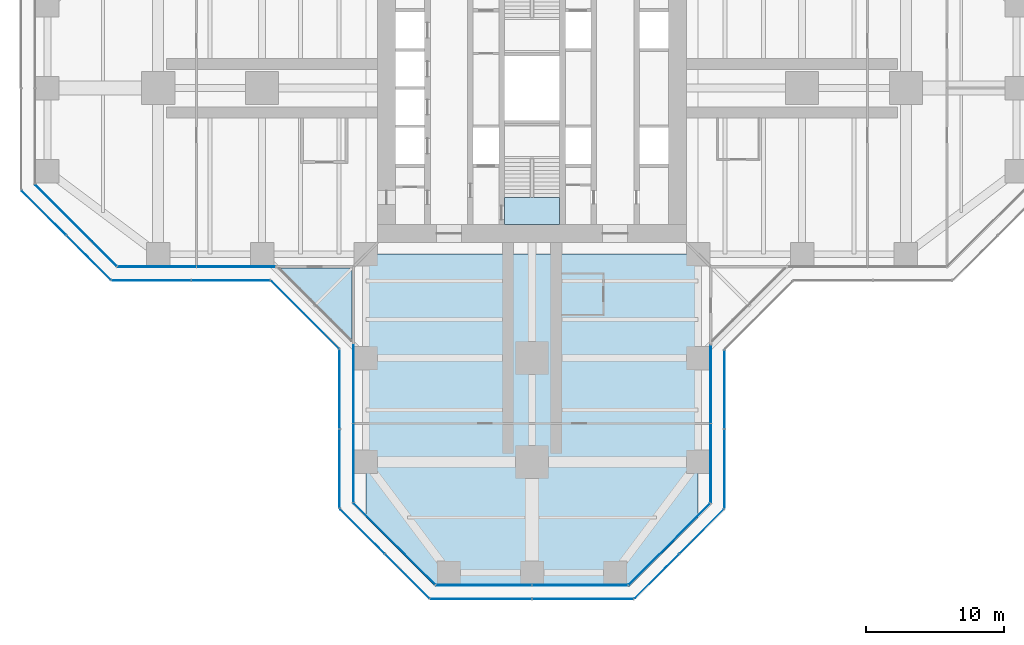
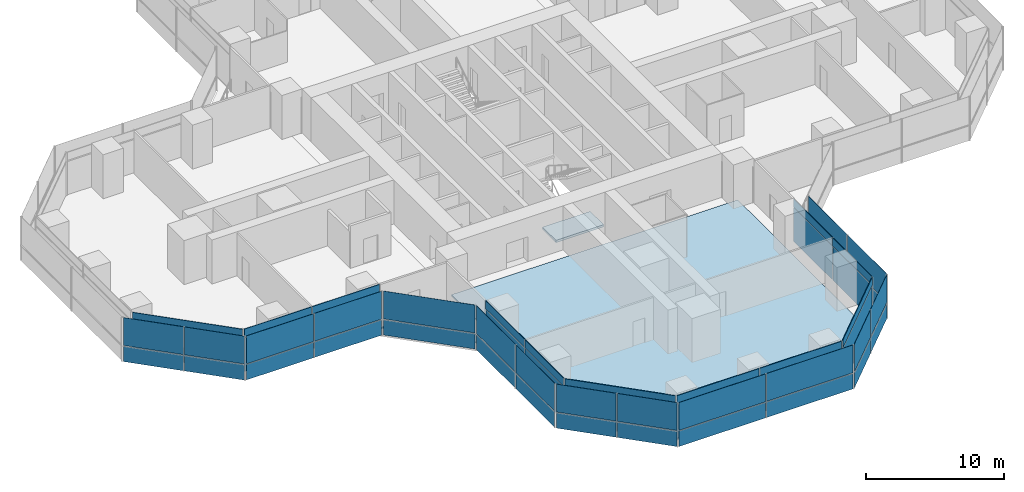
# One storey, part 14 of 22: 52 plates, 3 slabs, 16 elements without a shape of their own.
"""IFC4 building model written with IfcOpenShell, lengths in metres."""

from ifc_helpers import new_model, si_unit, direction, frame, origin, origin_2d, place, context, subcontext, project, spatial, polyline, rectangle, outline, extrude, material, layer, layer_set, type_object, element, aggregate, save


model = new_model("IFC4")

# Units and contexts
model_context = context("Model", 3, precision=1e-05, world=origin(), true_north=direction((0.0, 1.0)))
body_context = subcontext(model_context, "Body", "Model", "MODEL_VIEW")
ifc_project = project(units=[si_unit("LENGTHUNIT", "METRE"), si_unit("AREAUNIT", "SQUARE_METRE"), si_unit("VOLUMEUNIT", "CUBIC_METRE"), si_unit("PLANEANGLEUNIT", "RADIAN"), si_unit("MASSUNIT", "GRAM", prefix="KILO")], contexts=[model_context])

# Site, building, storey
site_placement = place(None, origin())
site = spatial("IfcSite", under=ifc_project, at=site_placement, CompositionType="ELEMENT")
building_placement = place(site_placement, origin())
building = spatial("IfcBuilding", under=site, at=building_placement, Name="Mizan Broadcast Tower", CompositionType="ELEMENT")
storey_placement = place(building_placement, frame((0.0, 0.0, 105.89990234375)))
storey = spatial("IfcBuildingStorey", under=building, at=storey_placement, Name="L23", CompositionType="ELEMENT", Elevation=105.89990234375)

# Slab
ifc_material_1 = material(Name="Concrete C32/40", Category="concrete")
ifc_layer_1 = layer(ifc_material_1, 0.1298828125)
ifc_layer_set_1 = layer_set([ifc_layer_1], Name="Concrete C32/40")
slab_type_1 = type_object("IfcSlabType", Name="COMPOSITE DECK SLAB 130", PredefinedType="FLOOR", material=ifc_layer_set_1)
slab_1_placement = place(storey_placement, frame((0.0, 0.0, -0.1298828125)))
element("IfcSlab", 1, at=slab_1_placement, inside=storey, type_object=slab_type_1, Name="Floor slab L23 south arm", PredefinedType="FLOOR", context=body_context, shape_type="SweptSolid", body=[
    extrude(outline(polyline([(7.0, -36.0), (12.0, -31.0), (12.0, -12.0), (-12.0, -12.0), (-12.0, -31.0), (-7.0, -36.0), (7.0, -36.0)])), origin(), (0.0, 0.0, 1.0), 0.1298828125),
])

# Curtain wall, plate
ifc_material_2 = material(Name="Aluminium framed glazing", Category="aluminium")
curtain_wall_type_1 = type_object("IfcCurtainWallType", Name="INNER SKIN LOW ZONE", PredefinedType="USERDEFINED", material=ifc_material_2)
curtain_wall_1_placement = place(storey_placement, origin())
curtain_wall_1 = element("IfcCurtainWall", 2, at=curtain_wall_1_placement, inside=storey, type_object=curtain_wall_type_1, Name="Inner skin low zone L23 W chamfer", ObjectType="INNER SKIN LOW ZONE", PredefinedType="USERDEFINED")
ifc_material_3 = material(Name="Double glazing, clear low-e", Category="glass")
ifc_layer_2 = layer(ifc_material_3, 0.028076171875)
ifc_layer_set_2 = layer_set([ifc_layer_2], Name="Double glazing, clear low-e")
plate_type_1 = type_object("IfcPlateType", Name="INNER SKIN GLAZING UNIT", PredefinedType="CURTAIN_PANEL", material=ifc_layer_set_2)
plate_1_placement = place(storey_placement, frame((-32.92919921875, -9.92919921875, 0.0), z_axis=(0.0, 0.0, 1.0), x_axis=(0.707106781187, -0.707106781187, 0.0)))
plate_1 = element("IfcPlate", 3, at=plate_1_placement, type_object=plate_type_1, Name="Inner skin low zone L23 W chamfer panel 1.1", PredefinedType="CURTAIN_PANEL", context=body_context, shape_type="SweptSolid", body=[
    extrude(rectangle(XDim=8.282470703125, YDim=0.028076171875, at=origin_2d()), origin(), (0.0, 0.0, 1.0), 3.0),
])

# Curtain wall, plates
curtain_wall_2_placement = place(storey_placement, origin())
curtain_wall_2 = element("IfcCurtainWall", 4, at=curtain_wall_2_placement, inside=storey, type_object=curtain_wall_type_1, Name="Inner skin low zone L23 W side", ObjectType="INNER SKIN LOW ZONE", PredefinedType="USERDEFINED")
plate_2_placement = place(storey_placement, frame((-27.078857421875, -12.89990234375, 0.0), z_axis=(0.0, 0.0, 1.0), x_axis=(1.0, 0.0, 0.0)))
plate_2 = element("IfcPlate", 5, at=plate_2_placement, type_object=plate_type_1, Name="Inner skin low zone L23 W side panel 1.1", PredefinedType="CURTAIN_PANEL", context=body_context, shape_type="SweptSolid", body=[
    extrude(rectangle(XDim=5.639404296875, YDim=0.028076171875, at=origin_2d()), origin(), (0.0, 0.0, 1.0), 3.0),
])
plate_3_placement = place(storey_placement, frame((-21.379638671875, -12.89990234375, 0.0), z_axis=(0.0, 0.0, 1.0), x_axis=(1.0, 0.0, 0.0)))
plate_3 = element("IfcPlate", 6, at=plate_3_placement, type_object=plate_type_1, Name="Inner skin low zone L23 W side panel 2.1", PredefinedType="CURTAIN_PANEL", context=body_context, shape_type="SweptSolid", body=[
    extrude(rectangle(XDim=5.639404296875, YDim=0.028076171875, at=origin_2d()), origin(), (0.0, 0.0, 1.0), 3.0),
])

curtain_wall_3_placement = place(storey_placement, origin())
curtain_wall_3 = element("IfcCurtainWall", 7, at=curtain_wall_3_placement, inside=storey, type_object=curtain_wall_type_1, Name="Inner skin low zone L23 S side", ObjectType="INNER SKIN LOW ZONE", PredefinedType="USERDEFINED")
plate_4_placement = place(storey_placement, frame((-12.89990234375, -21.379638671875, 0.0), z_axis=(0.0, 0.0, 1.0), x_axis=(0.0, -1.0, 0.0)))
plate_4 = element("IfcPlate", 8, at=plate_4_placement, type_object=plate_type_1, Name="Inner skin low zone L23 S side panel 1.1", PredefinedType="CURTAIN_PANEL", context=body_context, shape_type="SweptSolid", body=[
    extrude(rectangle(XDim=5.639404296875, YDim=0.028076171875, at=origin_2d()), origin(), (0.0, 0.0, 1.0), 3.0),
])
plate_5_placement = place(storey_placement, frame((-12.89990234375, -27.078857421875, 0.0), z_axis=(0.0, 0.0, 1.0), x_axis=(0.0, -1.0, 0.0)))
plate_5 = element("IfcPlate", 9, at=plate_5_placement, type_object=plate_type_1, Name="Inner skin low zone L23 S side panel 2.1", PredefinedType="CURTAIN_PANEL", context=body_context, shape_type="SweptSolid", body=[
    extrude(rectangle(XDim=5.639404296875, YDim=0.028076171875, at=origin_2d()), origin(), (0.0, 0.0, 1.0), 3.0),
])

# Curtain wall, plate
curtain_wall_4_placement = place(storey_placement, origin())
curtain_wall_4 = element("IfcCurtainWall", 10, at=curtain_wall_4_placement, inside=storey, type_object=curtain_wall_type_1, Name="Inner skin low zone L23 S chamfer", ObjectType="INNER SKIN LOW ZONE", PredefinedType="USERDEFINED")
plate_6_placement = place(storey_placement, frame((-9.92919921875, -32.92919921875, 0.0), z_axis=(0.0, 0.0, 1.0), x_axis=(0.707106781187, -0.707106781187, 0.0)))
plate_6 = element("IfcPlate", 11, at=plate_6_placement, type_object=plate_type_1, Name="Inner skin low zone L23 S chamfer panel 1.1", PredefinedType="CURTAIN_PANEL", context=body_context, shape_type="SweptSolid", body=[
    extrude(rectangle(XDim=8.282470703125, YDim=0.028076171875, at=origin_2d()), origin(), (0.0, 0.0, 1.0), 3.0),
])

# Curtain wall, plates
curtain_wall_5_placement = place(storey_placement, origin())
curtain_wall_5 = element("IfcCurtainWall", 12, at=curtain_wall_5_placement, inside=storey, type_object=curtain_wall_type_1, Name="Inner skin low zone L23 S end", ObjectType="INNER SKIN LOW ZONE", PredefinedType="USERDEFINED")
plate_7_placement = place(storey_placement, frame((-3.46435546875, -35.89990234375, 0.0), z_axis=(0.0, 0.0, 1.0), x_axis=(1.0, 0.0, 0.0)))
plate_7 = element("IfcPlate", 13, at=plate_7_placement, type_object=plate_type_1, Name="Inner skin low zone L23 S end panel 1.1", PredefinedType="CURTAIN_PANEL", context=body_context, shape_type="SweptSolid", body=[
    extrude(rectangle(XDim=6.86865234375, YDim=0.028076171875, at=origin_2d()), origin(), (0.0, 0.0, 1.0), 3.0),
])
plate_8_placement = place(storey_placement, frame((3.46435546875, -35.89990234375, 0.0), z_axis=(0.0, 0.0, 1.0), x_axis=(1.0, 0.0, 0.0)))
plate_8 = element("IfcPlate", 14, at=plate_8_placement, type_object=plate_type_1, Name="Inner skin low zone L23 S end panel 2.1", PredefinedType="CURTAIN_PANEL", context=body_context, shape_type="SweptSolid", body=[
    extrude(rectangle(XDim=6.86865234375, YDim=0.028076171875, at=origin_2d()), origin(), (0.0, 0.0, 1.0), 3.0),
])

# Curtain wall, plate
curtain_wall_6_placement = place(storey_placement, origin())
curtain_wall_6 = element("IfcCurtainWall", 15, at=curtain_wall_6_placement, inside=storey, type_object=curtain_wall_type_1, Name="Inner skin low zone L23 S chamfer", ObjectType="INNER SKIN LOW ZONE", PredefinedType="USERDEFINED")
plate_9_placement = place(storey_placement, frame((9.92919921875, -32.92919921875, 0.0), z_axis=(0.0, 0.0, 1.0), x_axis=(0.707106781187, 0.707106781187, 0.0)))
plate_9 = element("IfcPlate", 16, at=plate_9_placement, type_object=plate_type_1, Name="Inner skin low zone L23 S chamfer panel 1.1", PredefinedType="CURTAIN_PANEL", context=body_context, shape_type="SweptSolid", body=[
    extrude(rectangle(XDim=8.282470703125, YDim=0.028076171875, at=origin_2d()), origin(), (0.0, 0.0, 1.0), 3.0),
])

# Curtain wall, plates
curtain_wall_7_placement = place(storey_placement, origin())
curtain_wall_7 = element("IfcCurtainWall", 17, at=curtain_wall_7_placement, inside=storey, type_object=curtain_wall_type_1, Name="Inner skin low zone L23 S side", ObjectType="INNER SKIN LOW ZONE", PredefinedType="USERDEFINED")
plate_10_placement = place(storey_placement, frame((12.89990234375, -27.078857421875, 0.0), z_axis=(0.0, 0.0, 1.0), x_axis=(0.0, 1.0, 0.0)))
plate_10 = element("IfcPlate", 18, at=plate_10_placement, type_object=plate_type_1, Name="Inner skin low zone L23 S side panel 1.1", PredefinedType="CURTAIN_PANEL", context=body_context, shape_type="SweptSolid", body=[
    extrude(rectangle(XDim=5.639404296875, YDim=0.028076171875, at=origin_2d()), origin(), (0.0, 0.0, 1.0), 3.0),
])
plate_11_placement = place(storey_placement, frame((12.89990234375, -21.379638671875, 0.0), z_axis=(0.0, 0.0, 1.0), x_axis=(0.0, 1.0, 0.0)))
plate_11 = element("IfcPlate", 19, at=plate_11_placement, type_object=plate_type_1, Name="Inner skin low zone L23 S side panel 2.1", PredefinedType="CURTAIN_PANEL", context=body_context, shape_type="SweptSolid", body=[
    extrude(rectangle(XDim=5.639404296875, YDim=0.028076171875, at=origin_2d()), origin(), (0.0, 0.0, 1.0), 3.0),
])

# Plate
ifc_material_4 = material(Name="Insulated aluminium spandrel panel, pale anodised", Category="aluminium")
ifc_layer_3 = layer(ifc_material_4, 0.050048828125)
ifc_layer_set_3 = layer_set([ifc_layer_3], Name="Insulated aluminium spandrel panel, pale anodised")
plate_type_2 = type_object("IfcPlateType", Name="INNER SKIN SPANDREL PANEL", PredefinedType="CURTAIN_PANEL", material=ifc_layer_set_3)
plate_12_placement = place(storey_placement, frame((-32.92919921875, -9.92919921875, 3.06005859375), z_axis=(0.0, 0.0, 1.0), x_axis=(0.707106781187, -0.707106781187, 0.0)))
plate_12 = element("IfcPlate", 20, at=plate_12_placement, type_object=plate_type_2, Name="Inner skin low zone L23 W chamfer panel 1.2", PredefinedType="CURTAIN_PANEL", context=body_context, shape_type="SweptSolid", body=[
    extrude(rectangle(XDim=8.282470703125, YDim=0.050048828125, at=origin_2d()), origin(), (0.0, 0.0, 1.0), 0.7099609375),
])

aggregate(curtain_wall_1, [plate_1, plate_12])

plate_13_placement = place(storey_placement, frame((-27.078857421875, -12.89990234375, 3.06005859375), z_axis=(0.0, 0.0, 1.0), x_axis=(1.0, 0.0, 0.0)))
plate_13 = element("IfcPlate", 21, at=plate_13_placement, type_object=plate_type_2, Name="Inner skin low zone L23 W side panel 1.2", PredefinedType="CURTAIN_PANEL", context=body_context, shape_type="SweptSolid", body=[
    extrude(rectangle(XDim=5.639404296875, YDim=0.050048828125, at=origin_2d()), origin(), (0.0, 0.0, 1.0), 0.7099609375),
])

plate_14_placement = place(storey_placement, frame((-21.379638671875, -12.89990234375, 3.06005859375), z_axis=(0.0, 0.0, 1.0), x_axis=(1.0, 0.0, 0.0)))
plate_14 = element("IfcPlate", 22, at=plate_14_placement, type_object=plate_type_2, Name="Inner skin low zone L23 W side panel 2.2", PredefinedType="CURTAIN_PANEL", context=body_context, shape_type="SweptSolid", body=[
    extrude(rectangle(XDim=5.639404296875, YDim=0.050048828125, at=origin_2d()), origin(), (0.0, 0.0, 1.0), 0.7099609375),
])

aggregate(curtain_wall_2, [plate_2, plate_13, plate_3, plate_14])

plate_15_placement = place(storey_placement, frame((-12.89990234375, -21.379638671875, 3.06005859375), z_axis=(0.0, 0.0, 1.0), x_axis=(0.0, -1.0, 0.0)))
plate_15 = element("IfcPlate", 23, at=plate_15_placement, type_object=plate_type_2, Name="Inner skin low zone L23 S side panel 1.2", PredefinedType="CURTAIN_PANEL", context=body_context, shape_type="SweptSolid", body=[
    extrude(rectangle(XDim=5.639404296875, YDim=0.050048828125, at=origin_2d()), origin(), (0.0, 0.0, 1.0), 0.7099609375),
])

plate_16_placement = place(storey_placement, frame((-12.89990234375, -27.078857421875, 3.06005859375), z_axis=(0.0, 0.0, 1.0), x_axis=(0.0, -1.0, 0.0)))
plate_16 = element("IfcPlate", 24, at=plate_16_placement, type_object=plate_type_2, Name="Inner skin low zone L23 S side panel 2.2", PredefinedType="CURTAIN_PANEL", context=body_context, shape_type="SweptSolid", body=[
    extrude(rectangle(XDim=5.639404296875, YDim=0.050048828125, at=origin_2d()), origin(), (0.0, 0.0, 1.0), 0.7099609375),
])

aggregate(curtain_wall_3, [plate_4, plate_15, plate_5, plate_16])

plate_17_placement = place(storey_placement, frame((-9.92919921875, -32.92919921875, 3.06005859375), z_axis=(0.0, 0.0, 1.0), x_axis=(0.707106781187, -0.707106781187, 0.0)))
plate_17 = element("IfcPlate", 25, at=plate_17_placement, type_object=plate_type_2, Name="Inner skin low zone L23 S chamfer panel 1.2", PredefinedType="CURTAIN_PANEL", context=body_context, shape_type="SweptSolid", body=[
    extrude(rectangle(XDim=8.282470703125, YDim=0.050048828125, at=origin_2d()), origin(), (0.0, 0.0, 1.0), 0.7099609375),
])

aggregate(curtain_wall_4, [plate_6, plate_17])

plate_18_placement = place(storey_placement, frame((-3.46435546875, -35.89990234375, 3.06005859375), z_axis=(0.0, 0.0, 1.0), x_axis=(1.0, 0.0, 0.0)))
plate_18 = element("IfcPlate", 26, at=plate_18_placement, type_object=plate_type_2, Name="Inner skin low zone L23 S end panel 1.2", PredefinedType="CURTAIN_PANEL", context=body_context, shape_type="SweptSolid", body=[
    extrude(rectangle(XDim=6.86865234375, YDim=0.050048828125, at=origin_2d()), origin(), (0.0, 0.0, 1.0), 0.7099609375),
])

plate_19_placement = place(storey_placement, frame((3.46435546875, -35.89990234375, 3.06005859375), z_axis=(0.0, 0.0, 1.0), x_axis=(1.0, 0.0, 0.0)))
plate_19 = element("IfcPlate", 27, at=plate_19_placement, type_object=plate_type_2, Name="Inner skin low zone L23 S end panel 2.2", PredefinedType="CURTAIN_PANEL", context=body_context, shape_type="SweptSolid", body=[
    extrude(rectangle(XDim=6.86865234375, YDim=0.050048828125, at=origin_2d()), origin(), (0.0, 0.0, 1.0), 0.7099609375),
])

aggregate(curtain_wall_5, [plate_7, plate_18, plate_8, plate_19])

plate_20_placement = place(storey_placement, frame((9.92919921875, -32.92919921875, 3.06005859375), z_axis=(0.0, 0.0, 1.0), x_axis=(0.707106781187, 0.707106781187, 0.0)))
plate_20 = element("IfcPlate", 28, at=plate_20_placement, type_object=plate_type_2, Name="Inner skin low zone L23 S chamfer panel 1.2", PredefinedType="CURTAIN_PANEL", context=body_context, shape_type="SweptSolid", body=[
    extrude(rectangle(XDim=8.282470703125, YDim=0.050048828125, at=origin_2d()), origin(), (0.0, 0.0, 1.0), 0.7099609375),
])

aggregate(curtain_wall_6, [plate_9, plate_20])

plate_21_placement = place(storey_placement, frame((12.89990234375, -27.078857421875, 3.06005859375), z_axis=(0.0, 0.0, 1.0), x_axis=(0.0, 1.0, 0.0)))
plate_21 = element("IfcPlate", 29, at=plate_21_placement, type_object=plate_type_2, Name="Inner skin low zone L23 S side panel 1.2", PredefinedType="CURTAIN_PANEL", context=body_context, shape_type="SweptSolid", body=[
    extrude(rectangle(XDim=5.639404296875, YDim=0.050048828125, at=origin_2d()), origin(), (0.0, 0.0, 1.0), 0.7099609375),
])

plate_22_placement = place(storey_placement, frame((12.89990234375, -21.379638671875, 3.06005859375), z_axis=(0.0, 0.0, 1.0), x_axis=(0.0, 1.0, 0.0)))
plate_22 = element("IfcPlate", 30, at=plate_22_placement, type_object=plate_type_2, Name="Inner skin low zone L23 S side panel 2.2", PredefinedType="CURTAIN_PANEL", context=body_context, shape_type="SweptSolid", body=[
    extrude(rectangle(XDim=5.639404296875, YDim=0.050048828125, at=origin_2d()), origin(), (0.0, 0.0, 1.0), 0.7099609375),
])

aggregate(curtain_wall_7, [plate_10, plate_21, plate_11, plate_22])

# Curtain wall, plates
ifc_material_5 = material(Name="Aluminium framed glazing", Category="aluminium")
curtain_wall_type_2 = type_object("IfcCurtainWallType", Name="OUTER SKIN", PredefinedType="USERDEFINED", material=ifc_material_5)
curtain_wall_8_placement = place(storey_placement, origin())
curtain_wall_8 = element("IfcCurtainWall", 31, at=curtain_wall_8_placement, inside=storey, type_object=curtain_wall_type_2, Name="Outer skin L23 W chamfer", ObjectType="OUTER SKIN", PredefinedType="USERDEFINED")
ifc_material_6 = material(Name="Laminated clear glass", Category="glass")
ifc_layer_4 = layer(ifc_material_6, 0.02001953125)
ifc_layer_set_4 = layer_set([ifc_layer_4], Name="Laminated clear glass")
plate_type_3 = type_object("IfcPlateType", Name="OUTER SKIN CLEAR GLASS", PredefinedType="CURTAIN_PANEL", material=ifc_layer_set_4)
plate_23_placement = place(storey_placement, frame((-35.254150390625, -9.018798828125, 0.0), z_axis=(0.0, 0.0, 1.0), x_axis=(0.707106781187, -0.707106781187, 0.0)))
plate_23 = element("IfcPlate", 32, at=plate_23_placement, type_object=plate_type_3, Name="Outer skin L23 W chamfer panel 1.1", PredefinedType="CURTAIN_PANEL", context=body_context, shape_type="SweptSolid", body=[
    extrude(rectangle(XDim=4.495361328125, YDim=0.02001953125, at=origin_2d()), origin(), (0.0, 0.0, 1.0), 1.3701171875),
])
plate_24_placement = place(storey_placement, frame((-35.254150390625, -9.018798828125, 1.43017578125), z_axis=(0.0, 0.0, 1.0), x_axis=(0.707106781187, -0.707106781187, 0.0)))
plate_24 = element("IfcPlate", 33, at=plate_24_placement, type_object=plate_type_3, Name="Outer skin L23 W chamfer panel 1.2", PredefinedType="CURTAIN_PANEL", context=body_context, shape_type="SweptSolid", body=[
    extrude(rectangle(XDim=4.495361328125, YDim=0.02001953125, at=origin_2d()), origin(), (0.0, 0.0, 1.0), 2.469970703125),
])

curtain_wall_9_placement = place(storey_placement, origin())
curtain_wall_9 = element("IfcCurtainWall", 34, at=curtain_wall_9_placement, inside=storey, type_object=curtain_wall_type_2, Name="Outer skin L23 W side", ObjectType="OUTER SKIN", PredefinedType="USERDEFINED")
plate_25_placement = place(storey_placement, frame((-27.477783203125, -13.89990234375, 0.0), z_axis=(0.0, 0.0, 1.0), x_axis=(1.0, 0.0, 0.0)))
plate_25 = element("IfcPlate", 35, at=plate_25_placement, type_object=plate_type_3, Name="Outer skin L23 W side panel 1.1", PredefinedType="CURTAIN_PANEL", context=body_context, shape_type="SweptSolid", body=[
    extrude(rectangle(XDim=5.6298828125, YDim=0.02001953125, at=origin_2d()), origin(), (0.0, 0.0, 1.0), 1.3701171875),
])
plate_26_placement = place(storey_placement, frame((-27.477783203125, -13.89990234375, 1.43017578125), z_axis=(0.0, 0.0, 1.0), x_axis=(1.0, 0.0, 0.0)))
plate_26 = element("IfcPlate", 36, at=plate_26_placement, type_object=plate_type_3, Name="Outer skin L23 W side panel 1.2", PredefinedType="CURTAIN_PANEL", context=body_context, shape_type="SweptSolid", body=[
    extrude(rectangle(XDim=5.6298828125, YDim=0.02001953125, at=origin_2d()), origin(), (0.0, 0.0, 1.0), 2.469970703125),
])

curtain_wall_10_placement = place(storey_placement, origin())
curtain_wall_10 = element("IfcCurtainWall", 37, at=curtain_wall_10_placement, inside=storey, type_object=curtain_wall_type_2, Name="Outer skin L23 W chamfer", ObjectType="OUTER SKIN", PredefinedType="USERDEFINED")
plate_27_placement = place(storey_placement, frame((-16.386474609375, -16.386474609375, 0.0), z_axis=(0.0, 0.0, 1.0), x_axis=(0.707106781187, -0.707106781187, 0.0)))
plate_27 = element("IfcPlate", 38, at=plate_27_placement, type_object=plate_type_3, Name="Outer skin L23 W chamfer panel 1.1", PredefinedType="CURTAIN_PANEL", context=body_context, shape_type="SweptSolid", body=[
    extrude(rectangle(XDim=6.87255859375, YDim=0.02001953125, at=origin_2d()), origin(), (0.0, 0.0, 1.0), 1.3701171875),
])
plate_28_placement = place(storey_placement, frame((-16.386474609375, -16.386474609375, 1.43017578125), z_axis=(0.0, 0.0, 1.0), x_axis=(0.707106781187, -0.707106781187, 0.0)))
plate_28 = element("IfcPlate", 39, at=plate_28_placement, type_object=plate_type_3, Name="Outer skin L23 W chamfer panel 1.2", PredefinedType="CURTAIN_PANEL", context=body_context, shape_type="SweptSolid", body=[
    extrude(rectangle(XDim=6.87255859375, YDim=0.02001953125, at=origin_2d()), origin(), (0.0, 0.0, 1.0), 2.469970703125),
])
aggregate(curtain_wall_10, [plate_27, plate_28])

curtain_wall_11_placement = place(storey_placement, origin())
curtain_wall_11 = element("IfcCurtainWall", 40, at=curtain_wall_11_placement, inside=storey, type_object=curtain_wall_type_2, Name="Outer skin L23 S side", ObjectType="OUTER SKIN", PredefinedType="USERDEFINED")
plate_29_placement = place(storey_placement, frame((-13.89990234375, -21.767822265625, 0.0), z_axis=(0.0, 0.0, 1.0), x_axis=(0.0, -1.0, 0.0)))
plate_29 = element("IfcPlate", 41, at=plate_29_placement, type_object=plate_type_3, Name="Outer skin L23 S side panel 1.1", PredefinedType="CURTAIN_PANEL", context=body_context, shape_type="SweptSolid", body=[
    extrude(rectangle(XDim=5.6298828125, YDim=0.02001953125, at=origin_2d()), origin(), (0.0, 0.0, 1.0), 1.3701171875),
])
plate_30_placement = place(storey_placement, frame((-13.89990234375, -21.767822265625, 1.43017578125), z_axis=(0.0, 0.0, 1.0), x_axis=(0.0, -1.0, 0.0)))
plate_30 = element("IfcPlate", 42, at=plate_30_placement, type_object=plate_type_3, Name="Outer skin L23 S side panel 1.2", PredefinedType="CURTAIN_PANEL", context=body_context, shape_type="SweptSolid", body=[
    extrude(rectangle(XDim=5.6298828125, YDim=0.02001953125, at=origin_2d()), origin(), (0.0, 0.0, 1.0), 2.469970703125),
])

curtain_wall_12_placement = place(storey_placement, origin())
curtain_wall_12 = element("IfcCurtainWall", 43, at=curtain_wall_12_placement, inside=storey, type_object=curtain_wall_type_2, Name="Outer skin L23 S chamfer", ObjectType="OUTER SKIN", PredefinedType="USERDEFINED")
plate_31_placement = place(storey_placement, frame((-12.254150390625, -32.018798828125, 0.0), z_axis=(0.0, 0.0, 1.0), x_axis=(0.707106781187, -0.707106781187, 0.0)))
plate_31 = element("IfcPlate", 44, at=plate_31_placement, type_object=plate_type_3, Name="Outer skin L23 S chamfer panel 1.1", PredefinedType="CURTAIN_PANEL", context=body_context, shape_type="SweptSolid", body=[
    extrude(rectangle(XDim=4.495361328125, YDim=0.02001953125, at=origin_2d()), origin(), (0.0, 0.0, 1.0), 1.3701171875),
])
plate_32_placement = place(storey_placement, frame((-12.254150390625, -32.018798828125, 1.43017578125), z_axis=(0.0, 0.0, 1.0), x_axis=(0.707106781187, -0.707106781187, 0.0)))
plate_32 = element("IfcPlate", 45, at=plate_32_placement, type_object=plate_type_3, Name="Outer skin L23 S chamfer panel 1.2", PredefinedType="CURTAIN_PANEL", context=body_context, shape_type="SweptSolid", body=[
    extrude(rectangle(XDim=4.495361328125, YDim=0.02001953125, at=origin_2d()), origin(), (0.0, 0.0, 1.0), 2.469970703125),
])

curtain_wall_13_placement = place(storey_placement, origin())
curtain_wall_13 = element("IfcCurtainWall", 46, at=curtain_wall_13_placement, inside=storey, type_object=curtain_wall_type_2, Name="Outer skin L23 S end", ObjectType="OUTER SKIN", PredefinedType="USERDEFINED")
plate_33_placement = place(storey_placement, frame((-3.66650390625, -36.89990234375, 0.0), z_axis=(0.0, 0.0, 1.0), x_axis=(1.0, 0.0, 0.0)))
plate_33 = element("IfcPlate", 47, at=plate_33_placement, type_object=plate_type_3, Name="Outer skin L23 S end panel 1.1", PredefinedType="CURTAIN_PANEL", context=body_context, shape_type="SweptSolid", body=[
    extrude(rectangle(XDim=7.252685546875, YDim=0.02001953125, at=origin_2d()), origin(), (0.0, 0.0, 1.0), 1.3701171875),
])
plate_34_placement = place(storey_placement, frame((-3.66650390625, -36.89990234375, 1.43017578125), z_axis=(0.0, 0.0, 1.0), x_axis=(1.0, 0.0, 0.0)))
plate_34 = element("IfcPlate", 48, at=plate_34_placement, type_object=plate_type_3, Name="Outer skin L23 S end panel 1.2", PredefinedType="CURTAIN_PANEL", context=body_context, shape_type="SweptSolid", body=[
    extrude(rectangle(XDim=7.252685546875, YDim=0.02001953125, at=origin_2d()), origin(), (0.0, 0.0, 1.0), 2.469970703125),
])

curtain_wall_14_placement = place(storey_placement, origin())
curtain_wall_14 = element("IfcCurtainWall", 49, at=curtain_wall_14_placement, inside=storey, type_object=curtain_wall_type_2, Name="Outer skin L23 S chamfer", ObjectType="OUTER SKIN", PredefinedType="USERDEFINED")
plate_35_placement = place(storey_placement, frame((9.018798828125, -35.254150390625, 0.0), z_axis=(0.0, 0.0, 1.0), x_axis=(0.707106781187, 0.707106781187, 0.0)))
plate_35 = element("IfcPlate", 50, at=plate_35_placement, type_object=plate_type_3, Name="Outer skin L23 S chamfer panel 1.1", PredefinedType="CURTAIN_PANEL", context=body_context, shape_type="SweptSolid", body=[
    extrude(rectangle(XDim=4.495361328125, YDim=0.02001953125, at=origin_2d()), origin(), (0.0, 0.0, 1.0), 1.3701171875),
])
plate_36_placement = place(storey_placement, frame((9.018798828125, -35.254150390625, 1.43017578125), z_axis=(0.0, 0.0, 1.0), x_axis=(0.707106781187, 0.707106781187, 0.0)))
plate_36 = element("IfcPlate", 51, at=plate_36_placement, type_object=plate_type_3, Name="Outer skin L23 S chamfer panel 1.2", PredefinedType="CURTAIN_PANEL", context=body_context, shape_type="SweptSolid", body=[
    extrude(rectangle(XDim=4.495361328125, YDim=0.02001953125, at=origin_2d()), origin(), (0.0, 0.0, 1.0), 2.469970703125),
])

curtain_wall_15_placement = place(storey_placement, origin())
curtain_wall_15 = element("IfcCurtainWall", 52, at=curtain_wall_15_placement, inside=storey, type_object=curtain_wall_type_2, Name="Outer skin L23 S side", ObjectType="OUTER SKIN", PredefinedType="USERDEFINED")
plate_37_placement = place(storey_placement, frame((13.89990234375, -27.477783203125, 0.0), z_axis=(0.0, 0.0, 1.0), x_axis=(0.0, 1.0, 0.0)))
plate_37 = element("IfcPlate", 53, at=plate_37_placement, type_object=plate_type_3, Name="Outer skin L23 S side panel 1.1", PredefinedType="CURTAIN_PANEL", context=body_context, shape_type="SweptSolid", body=[
    extrude(rectangle(XDim=5.6298828125, YDim=0.02001953125, at=origin_2d()), origin(), (0.0, 0.0, 1.0), 1.3701171875),
])
plate_38_placement = place(storey_placement, frame((13.89990234375, -27.477783203125, 1.43017578125), z_axis=(0.0, 0.0, 1.0), x_axis=(0.0, 1.0, 0.0)))
plate_38 = element("IfcPlate", 54, at=plate_38_placement, type_object=plate_type_3, Name="Outer skin L23 S side panel 1.2", PredefinedType="CURTAIN_PANEL", context=body_context, shape_type="SweptSolid", body=[
    extrude(rectangle(XDim=5.6298828125, YDim=0.02001953125, at=origin_2d()), origin(), (0.0, 0.0, 1.0), 2.469970703125),
])

# Plate
ifc_material_7 = material(Name="Perforated aluminium, pale anodised", Category="aluminium")
ifc_layer_5 = layer(ifc_material_7, 0.011962890625)
ifc_layer_set_5 = layer_set([ifc_layer_5], Name="Perforated aluminium, pale anodised")
plate_type_4 = type_object("IfcPlateType", Name="OUTER SKIN PERFORATED SCREEN", PredefinedType="USERDEFINED", material=ifc_layer_set_5)
plate_39_placement = place(storey_placement, frame((-32.018798828125, -12.254150390625, 0.0), z_axis=(0.0, 0.0, 1.0), x_axis=(0.707106781187, -0.707106781187, 0.0)))
plate_39 = element("IfcPlate", 55, at=plate_39_placement, type_object=plate_type_4, Name="Outer skin L23 W chamfer panel 2.1", ObjectType="SCREEN", PredefinedType="USERDEFINED", context=body_context, shape_type="SweptSolid", body=[
    extrude(rectangle(XDim=4.495361328125, YDim=0.011962890625, at=origin_2d()), origin(), (0.0, 0.0, 1.0), 1.3701171875),
])

plate_40_placement = place(storey_placement, frame((-32.018798828125, -12.254150390625, 1.43017578125), z_axis=(0.0, 0.0, 1.0), x_axis=(0.707106781187, -0.707106781187, 0.0)))
plate_40 = element("IfcPlate", 56, at=plate_40_placement, type_object=plate_type_4, Name="Outer skin L23 W chamfer panel 2.2", ObjectType="SCREEN", PredefinedType="USERDEFINED", context=body_context, shape_type="SweptSolid", body=[
    extrude(rectangle(XDim=4.495361328125, YDim=0.011962890625, at=origin_2d()), origin(), (0.0, 0.0, 1.0), 2.469970703125),
])

aggregate(curtain_wall_8, [plate_23, plate_24, plate_39, plate_40])

plate_41_placement = place(storey_placement, frame((-21.767822265625, -13.89990234375, 0.0), z_axis=(0.0, 0.0, 1.0), x_axis=(1.0, 0.0, 0.0)))
plate_41 = element("IfcPlate", 57, at=plate_41_placement, type_object=plate_type_4, Name="Outer skin L23 W side panel 2.1", ObjectType="SCREEN", PredefinedType="USERDEFINED", context=body_context, shape_type="SweptSolid", body=[
    extrude(rectangle(XDim=5.6298828125, YDim=0.011962890625, at=origin_2d()), origin(), (0.0, 0.0, 1.0), 1.3701171875),
])

plate_42_placement = place(storey_placement, frame((-21.767822265625, -13.89990234375, 1.43017578125), z_axis=(0.0, 0.0, 1.0), x_axis=(1.0, 0.0, 0.0)))
plate_42 = element("IfcPlate", 58, at=plate_42_placement, type_object=plate_type_4, Name="Outer skin L23 W side panel 2.2", ObjectType="SCREEN", PredefinedType="USERDEFINED", context=body_context, shape_type="SweptSolid", body=[
    extrude(rectangle(XDim=5.6298828125, YDim=0.011962890625, at=origin_2d()), origin(), (0.0, 0.0, 1.0), 2.469970703125),
])

aggregate(curtain_wall_9, [plate_25, plate_26, plate_41, plate_42])

plate_43_placement = place(storey_placement, frame((-13.89990234375, -27.477783203125, 0.0), z_axis=(0.0, 0.0, 1.0), x_axis=(0.0, -1.0, 0.0)))
plate_43 = element("IfcPlate", 59, at=plate_43_placement, type_object=plate_type_4, Name="Outer skin L23 S side panel 2.1", ObjectType="SCREEN", PredefinedType="USERDEFINED", context=body_context, shape_type="SweptSolid", body=[
    extrude(rectangle(XDim=5.6298828125, YDim=0.011962890625, at=origin_2d()), origin(), (0.0, 0.0, 1.0), 1.3701171875),
])

plate_44_placement = place(storey_placement, frame((-13.89990234375, -27.477783203125, 1.43017578125), z_axis=(0.0, 0.0, 1.0), x_axis=(0.0, -1.0, 0.0)))
plate_44 = element("IfcPlate", 60, at=plate_44_placement, type_object=plate_type_4, Name="Outer skin L23 S side panel 2.2", ObjectType="SCREEN", PredefinedType="USERDEFINED", context=body_context, shape_type="SweptSolid", body=[
    extrude(rectangle(XDim=5.6298828125, YDim=0.011962890625, at=origin_2d()), origin(), (0.0, 0.0, 1.0), 2.469970703125),
])

aggregate(curtain_wall_11, [plate_29, plate_30, plate_43, plate_44])

plate_45_placement = place(storey_placement, frame((-9.018798828125, -35.254150390625, 0.0), z_axis=(0.0, 0.0, 1.0), x_axis=(0.707106781187, -0.707106781187, 0.0)))
plate_45 = element("IfcPlate", 61, at=plate_45_placement, type_object=plate_type_4, Name="Outer skin L23 S chamfer panel 2.1", ObjectType="SCREEN", PredefinedType="USERDEFINED", context=body_context, shape_type="SweptSolid", body=[
    extrude(rectangle(XDim=4.495361328125, YDim=0.011962890625, at=origin_2d()), origin(), (0.0, 0.0, 1.0), 1.3701171875),
])

plate_46_placement = place(storey_placement, frame((-9.018798828125, -35.254150390625, 1.43017578125), z_axis=(0.0, 0.0, 1.0), x_axis=(0.707106781187, -0.707106781187, 0.0)))
plate_46 = element("IfcPlate", 62, at=plate_46_placement, type_object=plate_type_4, Name="Outer skin L23 S chamfer panel 2.2", ObjectType="SCREEN", PredefinedType="USERDEFINED", context=body_context, shape_type="SweptSolid", body=[
    extrude(rectangle(XDim=4.495361328125, YDim=0.011962890625, at=origin_2d()), origin(), (0.0, 0.0, 1.0), 2.469970703125),
])

aggregate(curtain_wall_12, [plate_31, plate_32, plate_45, plate_46])

plate_47_placement = place(storey_placement, frame((3.66650390625, -36.89990234375, 0.0), z_axis=(0.0, 0.0, 1.0), x_axis=(1.0, 0.0, 0.0)))
plate_47 = element("IfcPlate", 63, at=plate_47_placement, type_object=plate_type_4, Name="Outer skin L23 S end panel 2.1", ObjectType="SCREEN", PredefinedType="USERDEFINED", context=body_context, shape_type="SweptSolid", body=[
    extrude(rectangle(XDim=7.252685546875, YDim=0.011962890625, at=origin_2d()), origin(), (0.0, 0.0, 1.0), 1.3701171875),
])

plate_48_placement = place(storey_placement, frame((3.66650390625, -36.89990234375, 1.43017578125), z_axis=(0.0, 0.0, 1.0), x_axis=(1.0, 0.0, 0.0)))
plate_48 = element("IfcPlate", 64, at=plate_48_placement, type_object=plate_type_4, Name="Outer skin L23 S end panel 2.2", ObjectType="SCREEN", PredefinedType="USERDEFINED", context=body_context, shape_type="SweptSolid", body=[
    extrude(rectangle(XDim=7.252685546875, YDim=0.011962890625, at=origin_2d()), origin(), (0.0, 0.0, 1.0), 2.469970703125),
])

aggregate(curtain_wall_13, [plate_33, plate_34, plate_47, plate_48])

plate_49_placement = place(storey_placement, frame((12.254150390625, -32.018798828125, 0.0), z_axis=(0.0, 0.0, 1.0), x_axis=(0.707106781187, 0.707106781187, 0.0)))
plate_49 = element("IfcPlate", 65, at=plate_49_placement, type_object=plate_type_4, Name="Outer skin L23 S chamfer panel 2.1", ObjectType="SCREEN", PredefinedType="USERDEFINED", context=body_context, shape_type="SweptSolid", body=[
    extrude(rectangle(XDim=4.495361328125, YDim=0.011962890625, at=origin_2d()), origin(), (0.0, 0.0, 1.0), 1.3701171875),
])

plate_50_placement = place(storey_placement, frame((12.254150390625, -32.018798828125, 1.43017578125), z_axis=(0.0, 0.0, 1.0), x_axis=(0.707106781187, 0.707106781187, 0.0)))
plate_50 = element("IfcPlate", 66, at=plate_50_placement, type_object=plate_type_4, Name="Outer skin L23 S chamfer panel 2.2", ObjectType="SCREEN", PredefinedType="USERDEFINED", context=body_context, shape_type="SweptSolid", body=[
    extrude(rectangle(XDim=4.495361328125, YDim=0.011962890625, at=origin_2d()), origin(), (0.0, 0.0, 1.0), 2.469970703125),
])

aggregate(curtain_wall_14, [plate_35, plate_36, plate_49, plate_50])

plate_51_placement = place(storey_placement, frame((13.89990234375, -21.767822265625, 0.0), z_axis=(0.0, 0.0, 1.0), x_axis=(0.0, 1.0, 0.0)))
plate_51 = element("IfcPlate", 67, at=plate_51_placement, type_object=plate_type_4, Name="Outer skin L23 S side panel 2.1", ObjectType="SCREEN", PredefinedType="USERDEFINED", context=body_context, shape_type="SweptSolid", body=[
    extrude(rectangle(XDim=5.6298828125, YDim=0.011962890625, at=origin_2d()), origin(), (0.0, 0.0, 1.0), 1.3701171875),
])

plate_52_placement = place(storey_placement, frame((13.89990234375, -21.767822265625, 1.43017578125), z_axis=(0.0, 0.0, 1.0), x_axis=(0.0, 1.0, 0.0)))
plate_52 = element("IfcPlate", 68, at=plate_52_placement, type_object=plate_type_4, Name="Outer skin L23 S side panel 2.2", ObjectType="SCREEN", PredefinedType="USERDEFINED", context=body_context, shape_type="SweptSolid", body=[
    extrude(rectangle(XDim=5.6298828125, YDim=0.011962890625, at=origin_2d()), origin(), (0.0, 0.0, 1.0), 2.469970703125),
])

aggregate(curtain_wall_15, [plate_37, plate_38, plate_51, plate_52])

# Stair, slab
ifc_material_8 = material(Name="Concrete C40/50", Category="concrete")
stair_type = type_object("IfcStairType", Name="EXIT STAIR", PredefinedType="HALF_TURN_STAIR", material=ifc_material_8)
stair_placement = place(storey_placement, origin())
stair = element("IfcStair", 69, at=stair_placement, inside=storey, type_object=stair_type, Name="Stair A L23", PredefinedType="HALF_TURN_STAIR")
ifc_material_9 = material(Name="Concrete C40/50", Category="concrete")
ifc_layer_6 = layer(ifc_material_9, 0.199951171875)
ifc_layer_set_6 = layer_set([ifc_layer_6], Name="Concrete C40/50")
slab_type_2 = type_object("IfcSlabType", Name="STAIR LANDING 200", PredefinedType="LANDING", material=ifc_layer_set_6)
slab_2_placement = place(storey_placement, frame((0.0, 0.0, -0.199951171875)))
slab_2 = element("IfcSlab", 70, at=slab_2_placement, type_object=slab_type_2, Name="A landing 1", PredefinedType="LANDING", context=body_context, shape_type="SweptSolid", body=[
    extrude(outline(polyline([(-2.0, -9.85009765625), (-2.0, -7.89990234375), (2.0, -7.89990234375), (2.0, -9.85009765625), (-2.0, -9.85009765625)])), origin(), (0.0, 0.0, 1.0), 0.199951171875),
])
aggregate(stair, [slab_2])

# Slab
ifc_material_10 = material(Name="Concrete C32/40", Category="concrete")
ifc_layer_7 = layer(ifc_material_10, 0.1298828125)
ifc_layer_set_7 = layer_set([ifc_layer_7], Name="Concrete C32/40")
slab_type_3 = type_object("IfcSlabType", Name="WINTER GARDEN SLAB 130", PredefinedType="FLOOR", material=ifc_layer_set_7)
slab_3_placement = place(storey_placement, frame((0.0, 0.0, -0.1298828125)))
element("IfcSlab", 71, at=slab_3_placement, inside=storey, type_object=slab_type_3, Name="Winter garden slab L23 W", PredefinedType="FLOOR", context=body_context, shape_type="SweptSolid", body=[
    extrude(outline(polyline([(-13.0, -13.0), (-18.5, -13.0), (-13.0, -18.5), (-13.0, -13.0)])), origin(), (0.0, 0.0, 1.0), 0.1298828125),
])

save(model, "model.ifc")
